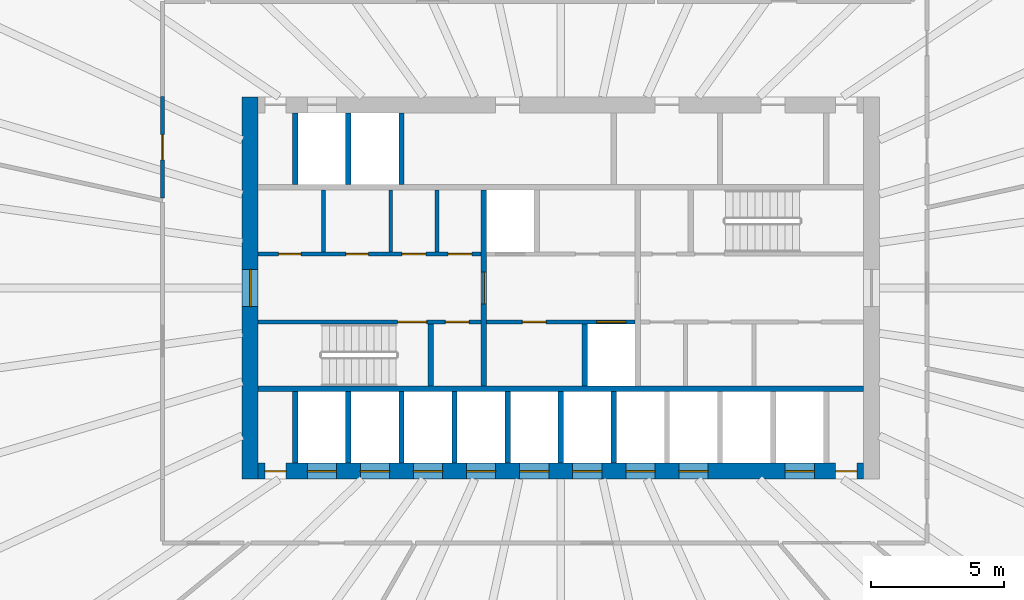
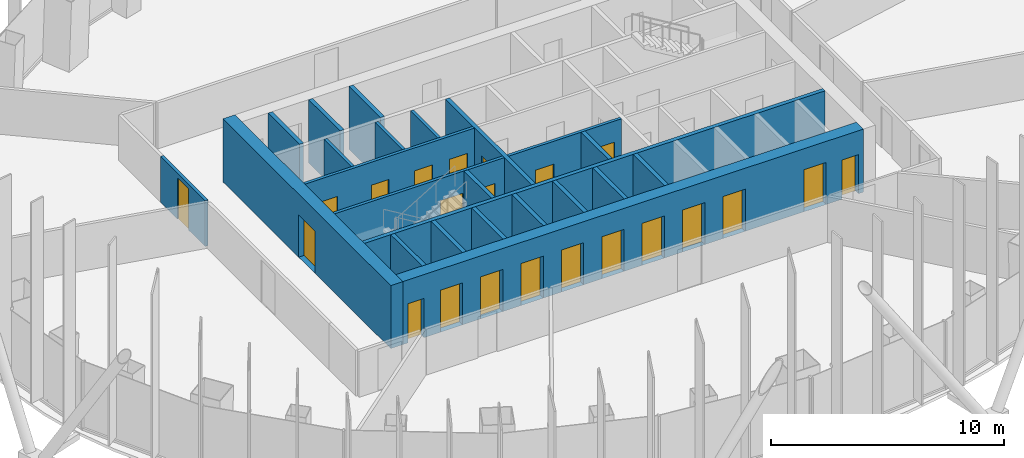
# One storey, part 7 of 19: 23 walls, 22 doors, 22 openings.
"""IFC4 building model written with IfcOpenShell, lengths in metres."""

from ifc_helpers import new_model, si_unit, direction, frame, frame_2d, origin, place, context, subcontext, project, spatial, rectangle, extrude, material, layer, layer_set, type_object, element, fill, save


model = new_model("IFC4")

# Units and contexts
model_context = context("Model", 3, precision=1e-05, world=origin(), true_north=direction((0.0, 1.0)))
body_context = subcontext(model_context, "Body", "Model", "MODEL_VIEW")
ifc_project = project(units=[si_unit("LENGTHUNIT", "METRE"), si_unit("AREAUNIT", "SQUARE_METRE"), si_unit("VOLUMEUNIT", "CUBIC_METRE"), si_unit("PLANEANGLEUNIT", "RADIAN"), si_unit("MASSUNIT", "GRAM", prefix="KILO")], contexts=[model_context])

# Site, building, storey
site_placement = place(None, origin())
site = spatial("IfcSite", under=ifc_project, at=site_placement, CompositionType="ELEMENT")
building_placement = place(site_placement, origin())
building = spatial("IfcBuilding", under=site, at=building_placement, Name="Siaravel Broadcast Tower", CompositionType="ELEMENT")
storey_placement = place(building_placement, frame((0.0, 0.0, 59.300048828125)))
storey = spatial("IfcBuildingStorey", under=building, at=storey_placement, Name="L13", CompositionType="ELEMENT", Elevation=59.300048828125)

# Walls
ifc_material_1 = material(Name="Concrete blockwork", Category="masonry")
ifc_layer_1 = layer(ifc_material_1, 0.14990234375)
ifc_layer_set_1 = layer_set([ifc_layer_1], Name="Concrete blockwork")
wall_type_1 = type_object("IfcWallType", Name="Core partition 150", PredefinedType="PARTITIONING", material=ifc_layer_set_1)
for number, where, z_axis, x_axis, name in (
    (1, (-8.93994140625, 1.35009765625, 0.0), (0.0, 0.0, 1.0), (0.0, 1.0, 0.0), "L13 core partition PNW0"),
    (2, (-6.405029296875, 1.35009765625, 0.0), (0.0, 0.0, 1.0), (0.0, 1.0, 0.0), "L13 core partition PNW1"),
    (3, (-4.6650390625, 1.35009765625, 0.0), (0.0, 0.0, 1.0), (0.0, 1.0, 0.0), "L13 core partition PNW2"),
):
    element("IfcWall", number, at=place(storey_placement, frame(where, z_axis=z_axis, x_axis=x_axis)), inside=storey, type_object=wall_type_1, Name=name, PredefinedType="PARTITIONING", context=body_context, shape_type="SweptSolid", body=[
        extrude(rectangle(XDim=2.349853515625, YDim=0.14990234375, at=frame_2d((1.1748046875, 0.0))), origin(), (0.0, 0.0, 1.0), 3.300048828125),
    ])

# Wall, opening, door
ifc_material_2 = material(Name="Concrete C60/75", Category="concrete")
ifc_layer_2 = layer(ifc_material_2, 0.60009765625)
ifc_layer_set_2 = layer_set([ifc_layer_2], Name="Concrete C60/75")
wall_type_2 = type_object("IfcWallType", Name="Core wall 600", PredefinedType="SHEAR", material=ifc_layer_set_2)
wall_1_placement = place(storey_placement, frame((-11.699951171875, -7.199951171875, 0.0), z_axis=(0.0, 0.0, 1.0), x_axis=(0.0, 1.0, 0.0)))
wall_1 = element("IfcWall", 4, at=wall_1_placement, inside=storey, type_object=wall_type_2, Name="L13 core wall OW", PredefinedType="SHEAR", context=body_context, shape_type="SweptSolid", body=[
    extrude(rectangle(XDim=14.39990234375, YDim=0.60009765625, at=frame_2d((7.199951171875, 0.0))), origin(), (0.0, 0.0, 1.0), 3.300048828125),
])
opening_1_placement = place(wall_1_placement, frame((6.5, 0.0, 0.0)))
opening_1 = element("IfcOpeningElement", 5, at=opening_1_placement, cuts=wall_1, Name="Opening L13-DX-W", PredefinedType="OPENING", context=body_context, shape_type="SweptSolid", body=[
    extrude(rectangle(XDim=1.39990234375, YDim=2.199951171875, at=frame_2d((0.699951171875, 1.10009765625))), frame((0.0, 0.31005859375, 0.0), z_axis=(0.0, -1.0, 0.0), x_axis=(1.0, 0.0, 0.0)), (0.0, 0.0, 1.0), 0.6201171875),
])
ifc_material_3 = material(Name="Steel", Category="steel")
door_type_1 = type_object("IfcDoorType", Name="Core exit door 1400", OperationType="DOUBLE_DOOR_SINGLE_SWING", PredefinedType="DOOR", material=ifc_material_3)
door_1_placement = place(opening_1_placement, origin())
door_1 = element("IfcDoor", 6, at=door_1_placement, inside=storey, type_object=door_type_1, Name="L13 door DX-W", OperationType="DOUBLE_DOOR_SINGLE_SWING", OverallHeight=2.199951171875, OverallWidth=1.39990234375, PredefinedType="DOOR", context=body_context, shape_type="SweptSolid", body=[
    extrude(rectangle(XDim=1.39990234375, YDim=2.199951171875, at=frame_2d((0.699951171875, 1.10009765625))), frame((0.0, 0.02490234375, 0.0), z_axis=(0.0, -1.0, 0.0), x_axis=(1.0, 0.0, 0.0)), (0.0, 0.0, 1.0), 0.050048828125),
])
fill(opening_1, door_1)

# Wall, openings, doors
wall_2_placement = place(storey_placement, frame((-11.39990234375, -6.89990234375, 0.0), z_axis=(0.0, 0.0, 1.0), x_axis=(1.0, 0.0, 0.0)))
wall_2 = element("IfcWall", 7, at=wall_2_placement, inside=storey, type_object=wall_type_2, Name="L13 core wall OS", PredefinedType="SHEAR", context=body_context, shape_type="SweptSolid", body=[
    extrude(rectangle(XDim=22.7998046875, YDim=0.60009765625, at=frame_2d((11.39990234375, 0.0))), origin(), (0.0, 0.0, 1.0), 3.300048828125),
])
opening_2_placement = place(wall_2_placement, frame((1.85009765625, 0.0, 0.0)))
opening_2 = element("IfcOpeningElement", 8, at=opening_2_placement, cuts=wall_2, Name="Opening LD-LP1-L13", PredefinedType="OPENING", context=body_context, shape_type="SweptSolid", body=[
    extrude(rectangle(XDim=1.10009765625, YDim=2.199951171875, at=frame_2d((0.550048828125, 1.10009765625))), frame((0.0, 0.31005859375, 0.0), z_axis=(0.0, -1.0, 0.0), x_axis=(1.0, 0.0, 0.0)), (0.0, 0.0, 1.0), 0.6201171875),
])
opening_3_placement = place(wall_2_placement, frame((3.85009765625, 0.0, 0.0)))
opening_3 = element("IfcOpeningElement", 9, at=opening_3_placement, cuts=wall_2, Name="Opening LD-LP2-L13", PredefinedType="OPENING", context=body_context, shape_type="SweptSolid", body=[
    extrude(rectangle(XDim=1.10009765625, YDim=2.199951171875, at=frame_2d((0.550048828125, 1.10009765625))), frame((0.0, 0.31005859375, 0.0), z_axis=(0.0, -1.0, 0.0), x_axis=(1.0, 0.0, 0.0)), (0.0, 0.0, 1.0), 0.6201171875),
])
opening_4_placement = place(wall_2_placement, frame((5.85009765625, 0.0, 0.0)))
opening_4 = element("IfcOpeningElement", 10, at=opening_4_placement, cuts=wall_2, Name="Opening LD-LP3-L13", PredefinedType="OPENING", context=body_context, shape_type="SweptSolid", body=[
    extrude(rectangle(XDim=1.10009765625, YDim=2.199951171875, at=frame_2d((0.550048828125, 1.10009765625))), frame((0.0, 0.31005859375, 0.0), z_axis=(0.0, -1.0, 0.0), x_axis=(1.0, 0.0, 0.0)), (0.0, 0.0, 1.0), 0.6201171875),
])
opening_5_placement = place(wall_2_placement, frame((7.85009765625, 0.0, 0.0)))
opening_5 = element("IfcOpeningElement", 11, at=opening_5_placement, cuts=wall_2, Name="Opening LD-LP4-L13", PredefinedType="OPENING", context=body_context, shape_type="SweptSolid", body=[
    extrude(rectangle(XDim=1.10009765625, YDim=2.199951171875, at=frame_2d((0.550048828125, 1.10009765625))), frame((0.0, 0.31005859375, 0.0), z_axis=(0.0, -1.0, 0.0), x_axis=(1.0, 0.0, 0.0)), (0.0, 0.0, 1.0), 0.6201171875),
])
opening_6_placement = place(wall_2_placement, frame((9.85009765625, 0.0, 0.0)))
opening_6 = element("IfcOpeningElement", 12, at=opening_6_placement, cuts=wall_2, Name="Opening LD-LP5-L13", PredefinedType="OPENING", context=body_context, shape_type="SweptSolid", body=[
    extrude(rectangle(XDim=1.10009765625, YDim=2.199951171875, at=frame_2d((0.550048828125, 1.10009765625))), frame((0.0, 0.31005859375, 0.0), z_axis=(0.0, -1.0, 0.0), x_axis=(1.0, 0.0, 0.0)), (0.0, 0.0, 1.0), 0.6201171875),
])
opening_7_placement = place(wall_2_placement, frame((11.85009765625, 0.0, 0.0)))
opening_7 = element("IfcOpeningElement", 13, at=opening_7_placement, cuts=wall_2, Name="Opening LD-LP6-L13", PredefinedType="OPENING", context=body_context, shape_type="SweptSolid", body=[
    extrude(rectangle(XDim=1.10009765625, YDim=2.199951171875, at=frame_2d((0.550048828125, 1.10009765625))), frame((0.0, 0.31005859375, 0.0), z_axis=(0.0, -1.0, 0.0), x_axis=(1.0, 0.0, 0.0)), (0.0, 0.0, 1.0), 0.6201171875),
])
opening_8_placement = place(wall_2_placement, frame((13.85009765625, 0.0, 0.0)))
opening_8 = element("IfcOpeningElement", 14, at=opening_8_placement, cuts=wall_2, Name="Opening LD-LP7-L13", PredefinedType="OPENING", context=body_context, shape_type="SweptSolid", body=[
    extrude(rectangle(XDim=1.10009765625, YDim=2.199951171875, at=frame_2d((0.550048828125, 1.10009765625))), frame((0.0, 0.31005859375, 0.0), z_axis=(0.0, -1.0, 0.0), x_axis=(1.0, 0.0, 0.0)), (0.0, 0.0, 1.0), 0.6201171875),
])
opening_9_placement = place(wall_2_placement, frame((15.85009765625, 0.0, 0.0)))
opening_9 = element("IfcOpeningElement", 15, at=opening_9_placement, cuts=wall_2, Name="Opening LD-LP8-L13", PredefinedType="OPENING", context=body_context, shape_type="SweptSolid", body=[
    extrude(rectangle(XDim=1.10009765625, YDim=2.199951171875, at=frame_2d((0.550048828125, 1.10009765625))), frame((0.0, 0.31005859375, 0.0), z_axis=(0.0, -1.0, 0.0), x_axis=(1.0, 0.0, 0.0)), (0.0, 0.0, 1.0), 0.6201171875),
])
opening_10_placement = place(wall_2_placement, frame((19.85009765625, 0.0, 0.0)))
opening_10 = element("IfcOpeningElement", 16, at=opening_10_placement, cuts=wall_2, Name="Opening LD-SV1-L13", PredefinedType="OPENING", context=body_context, shape_type="SweptSolid", body=[
    extrude(rectangle(XDim=1.10009765625, YDim=2.199951171875, at=frame_2d((0.550048828125, 1.10009765625))), frame((0.0, 0.31005859375, 0.0), z_axis=(0.0, -1.0, 0.0), x_axis=(1.0, 0.0, 0.0)), (0.0, 0.0, 1.0), 0.6201171875),
])
opening_11_placement = place(wall_2_placement, frame((0.25, 0.0, 0.0)))
opening_11 = element("IfcOpeningElement", 17, at=opening_11_placement, cuts=wall_2, Name="Opening L13-DRSW", PredefinedType="OPENING", context=body_context, shape_type="SweptSolid", body=[
    extrude(rectangle(XDim=0.800048828125, YDim=2.050048828125, at=frame_2d((0.39990234375, 1.02490234375))), frame((0.0, 0.31005859375, 0.0), z_axis=(0.0, -1.0, 0.0), x_axis=(1.0, 0.0, 0.0)), (0.0, 0.0, 1.0), 0.6201171875),
])
opening_12_placement = place(wall_2_placement, frame((21.75, 0.0, 0.0)))
opening_12 = element("IfcOpeningElement", 18, at=opening_12_placement, cuts=wall_2, Name="Opening L13-DRSE", PredefinedType="OPENING", context=body_context, shape_type="SweptSolid", body=[
    extrude(rectangle(XDim=0.800048828125, YDim=2.050048828125, at=frame_2d((0.39990234375, 1.02490234375))), frame((0.0, 0.31005859375, 0.0), z_axis=(0.0, -1.0, 0.0), x_axis=(1.0, 0.0, 0.0)), (0.0, 0.0, 1.0), 0.6201171875),
])
ifc_material_4 = material(Name="Stainless steel 316L", Category="steel")
door_type_2 = type_object("IfcDoorType", Name="Lift landing door 1100", OperationType="DOUBLE_DOOR_SLIDING", PredefinedType="DOOR", material=ifc_material_4)
door_2_placement = place(opening_2_placement, origin())
door_2 = element("IfcDoor", 19, at=door_2_placement, inside=storey, type_object=door_type_2, Name="Landing door LP1 L13", OperationType="DOUBLE_DOOR_SLIDING", OverallHeight=2.199951171875, OverallWidth=1.10009765625, PredefinedType="DOOR", context=body_context, shape_type="SweptSolid", body=[
    extrude(rectangle(XDim=1.10009765625, YDim=2.199951171875, at=frame_2d((0.550048828125, 1.10009765625))), frame((0.0, 0.02490234375, 0.0), z_axis=(0.0, -1.0, 0.0), x_axis=(1.0, 0.0, 0.0)), (0.0, 0.0, 1.0), 0.050048828125),
])
fill(opening_2, door_2)
door_3_placement = place(opening_3_placement, origin())
door_3 = element("IfcDoor", 20, at=door_3_placement, inside=storey, type_object=door_type_2, Name="Landing door LP2 L13", OperationType="DOUBLE_DOOR_SLIDING", OverallHeight=2.199951171875, OverallWidth=1.10009765625, PredefinedType="DOOR", context=body_context, shape_type="SweptSolid", body=[
    extrude(rectangle(XDim=1.10009765625, YDim=2.199951171875, at=frame_2d((0.550048828125, 1.10009765625))), frame((0.0, 0.02490234375, 0.0), z_axis=(0.0, -1.0, 0.0), x_axis=(1.0, 0.0, 0.0)), (0.0, 0.0, 1.0), 0.050048828125),
])
fill(opening_3, door_3)
door_4_placement = place(opening_4_placement, origin())
door_4 = element("IfcDoor", 21, at=door_4_placement, inside=storey, type_object=door_type_2, Name="Landing door LP3 L13", OperationType="DOUBLE_DOOR_SLIDING", OverallHeight=2.199951171875, OverallWidth=1.10009765625, PredefinedType="DOOR", context=body_context, shape_type="SweptSolid", body=[
    extrude(rectangle(XDim=1.10009765625, YDim=2.199951171875, at=frame_2d((0.550048828125, 1.10009765625))), frame((0.0, 0.02490234375, 0.0), z_axis=(0.0, -1.0, 0.0), x_axis=(1.0, 0.0, 0.0)), (0.0, 0.0, 1.0), 0.050048828125),
])
fill(opening_4, door_4)
door_5_placement = place(opening_5_placement, origin())
door_5 = element("IfcDoor", 22, at=door_5_placement, inside=storey, type_object=door_type_2, Name="Landing door LP4 L13", OperationType="DOUBLE_DOOR_SLIDING", OverallHeight=2.199951171875, OverallWidth=1.10009765625, PredefinedType="DOOR", context=body_context, shape_type="SweptSolid", body=[
    extrude(rectangle(XDim=1.10009765625, YDim=2.199951171875, at=frame_2d((0.550048828125, 1.10009765625))), frame((0.0, 0.02490234375, 0.0), z_axis=(0.0, -1.0, 0.0), x_axis=(1.0, 0.0, 0.0)), (0.0, 0.0, 1.0), 0.050048828125),
])
fill(opening_5, door_5)
door_6_placement = place(opening_6_placement, origin())
door_6 = element("IfcDoor", 23, at=door_6_placement, inside=storey, type_object=door_type_2, Name="Landing door LP5 L13", OperationType="DOUBLE_DOOR_SLIDING", OverallHeight=2.199951171875, OverallWidth=1.10009765625, PredefinedType="DOOR", context=body_context, shape_type="SweptSolid", body=[
    extrude(rectangle(XDim=1.10009765625, YDim=2.199951171875, at=frame_2d((0.550048828125, 1.10009765625))), frame((0.0, 0.02490234375, 0.0), z_axis=(0.0, -1.0, 0.0), x_axis=(1.0, 0.0, 0.0)), (0.0, 0.0, 1.0), 0.050048828125),
])
fill(opening_6, door_6)
door_7_placement = place(opening_7_placement, origin())
door_7 = element("IfcDoor", 24, at=door_7_placement, inside=storey, type_object=door_type_2, Name="Landing door LP6 L13", OperationType="DOUBLE_DOOR_SLIDING", OverallHeight=2.199951171875, OverallWidth=1.10009765625, PredefinedType="DOOR", context=body_context, shape_type="SweptSolid", body=[
    extrude(rectangle(XDim=1.10009765625, YDim=2.199951171875, at=frame_2d((0.550048828125, 1.10009765625))), frame((0.0, 0.02490234375, 0.0), z_axis=(0.0, -1.0, 0.0), x_axis=(1.0, 0.0, 0.0)), (0.0, 0.0, 1.0), 0.050048828125),
])
fill(opening_7, door_7)
door_8_placement = place(opening_8_placement, origin())
door_8 = element("IfcDoor", 25, at=door_8_placement, inside=storey, type_object=door_type_2, Name="Landing door LP7 L13", OperationType="DOUBLE_DOOR_SLIDING", OverallHeight=2.199951171875, OverallWidth=1.10009765625, PredefinedType="DOOR", context=body_context, shape_type="SweptSolid", body=[
    extrude(rectangle(XDim=1.10009765625, YDim=2.199951171875, at=frame_2d((0.550048828125, 1.10009765625))), frame((0.0, 0.02490234375, 0.0), z_axis=(0.0, -1.0, 0.0), x_axis=(1.0, 0.0, 0.0)), (0.0, 0.0, 1.0), 0.050048828125),
])
fill(opening_8, door_8)
door_9_placement = place(opening_9_placement, origin())
door_9 = element("IfcDoor", 26, at=door_9_placement, inside=storey, type_object=door_type_2, Name="Landing door LP8 L13", OperationType="DOUBLE_DOOR_SLIDING", OverallHeight=2.199951171875, OverallWidth=1.10009765625, PredefinedType="DOOR", context=body_context, shape_type="SweptSolid", body=[
    extrude(rectangle(XDim=1.10009765625, YDim=2.199951171875, at=frame_2d((0.550048828125, 1.10009765625))), frame((0.0, 0.02490234375, 0.0), z_axis=(0.0, -1.0, 0.0), x_axis=(1.0, 0.0, 0.0)), (0.0, 0.0, 1.0), 0.050048828125),
])
fill(opening_9, door_9)
door_type_3 = type_object("IfcDoorType", Name="Riser door 800", OperationType="SINGLE_SWING_LEFT", PredefinedType="DOOR", material=ifc_material_3)
door_10_placement = place(opening_11_placement, origin())
door_10 = element("IfcDoor", 27, at=door_10_placement, inside=storey, type_object=door_type_3, Name="L13 door DRSW", OperationType="SINGLE_SWING_LEFT", OverallHeight=2.050048828125, OverallWidth=0.800048828125, PredefinedType="DOOR", context=body_context, shape_type="SweptSolid", body=[
    extrude(rectangle(XDim=0.800048828125, YDim=2.050048828125, at=frame_2d((0.39990234375, 1.02490234375))), frame((0.0, 0.02490234375, 0.0), z_axis=(0.0, -1.0, 0.0), x_axis=(1.0, 0.0, 0.0)), (0.0, 0.0, 1.0), 0.050048828125),
])
fill(opening_11, door_10)
door_11_placement = place(opening_12_placement, origin())
door_11 = element("IfcDoor", 28, at=door_11_placement, inside=storey, type_object=door_type_3, Name="L13 door DRSE", OperationType="SINGLE_SWING_LEFT", OverallHeight=2.050048828125, OverallWidth=0.800048828125, PredefinedType="DOOR", context=body_context, shape_type="SweptSolid", body=[
    extrude(rectangle(XDim=0.800048828125, YDim=2.050048828125, at=frame_2d((0.39990234375, 1.02490234375))), frame((0.0, 0.02490234375, 0.0), z_axis=(0.0, -1.0, 0.0), x_axis=(1.0, 0.0, 0.0)), (0.0, 0.0, 1.0), 0.050048828125),
])
fill(opening_12, door_11)
door_type_4 = type_object("IfcDoorType", Name="Service lift landing door 1100", OperationType="DOUBLE_DOOR_SLIDING", PredefinedType="DOOR", material=ifc_material_4)
door_12_placement = place(opening_10_placement, origin())
door_12 = element("IfcDoor", 29, at=door_12_placement, inside=storey, type_object=door_type_4, Name="Landing door SV1 L13", OperationType="DOUBLE_DOOR_SLIDING", OverallHeight=2.199951171875, OverallWidth=1.10009765625, PredefinedType="DOOR", context=body_context, shape_type="SweptSolid", body=[
    extrude(rectangle(XDim=1.10009765625, YDim=2.199951171875, at=frame_2d((0.550048828125, 1.10009765625))), frame((0.0, 0.02490234375, 0.0), z_axis=(0.0, -1.0, 0.0), x_axis=(1.0, 0.0, 0.0)), (0.0, 0.0, 1.0), 0.050048828125),
])
fill(opening_10, door_12)

ifc_material_5 = material(Name="Gypsum board partition", Category="gypsum")
ifc_layer_3 = layer(ifc_material_5, 0.14990234375)
ifc_layer_set_3 = layer_set([ifc_layer_3], Name="Gypsum board partition")
wall_type_3 = type_object("IfcWallType", Name="Corridor wall 150", PredefinedType="PARTITIONING", material=ifc_layer_set_3)
wall_3_placement = place(storey_placement, frame((-11.39990234375, 1.27490234375, 0.0), z_axis=(0.0, 0.0, 1.0), x_axis=(1.0, 0.0, 0.0)))
wall_3 = element("IfcWall", 30, at=wall_3_placement, inside=storey, type_object=wall_type_3, Name="L13 core partition CNW", PredefinedType="PARTITIONING", context=body_context, shape_type="SweptSolid", body=[
    extrude(rectangle(XDim=8.39990234375, YDim=0.14990234375, at=frame_2d((4.199951171875, 0.0))), origin(), (0.0, 0.0, 1.0), 3.300048828125),
])
opening_13_placement = place(wall_3_placement, frame((0.767578125, 0.0, 0.0)))
opening_13 = element("IfcOpeningElement", 31, at=opening_13_placement, cuts=wall_3, Name="Opening L13-DNW0", PredefinedType="OPENING", context=body_context, shape_type="SweptSolid", body=[
    extrude(rectangle(XDim=0.85009765625, YDim=2.10009765625, at=frame_2d((0.425048828125, 1.050048828125))), frame((0.0, 0.0849609375, 0.0), z_axis=(0.0, -1.0, 0.0), x_axis=(1.0, 0.0, 0.0)), (0.0, 0.0, 1.0), 0.169921875),
])
opening_14_placement = place(wall_3_placement, frame((3.302490234375, 0.0, 0.0)))
opening_14 = element("IfcOpeningElement", 32, at=opening_14_placement, cuts=wall_3, Name="Opening L13-DNW1", PredefinedType="OPENING", context=body_context, shape_type="SweptSolid", body=[
    extrude(rectangle(XDim=0.85009765625, YDim=2.10009765625, at=frame_2d((0.425048828125, 1.050048828125))), frame((0.0, 0.0849609375, 0.0), z_axis=(0.0, -1.0, 0.0), x_axis=(1.0, 0.0, 0.0)), (0.0, 0.0, 1.0), 0.169921875),
])
opening_15_placement = place(wall_3_placement, frame((5.4150390625, 0.0, 0.0)))
opening_15 = element("IfcOpeningElement", 33, at=opening_15_placement, cuts=wall_3, Name="Opening L13-DNW2", PredefinedType="OPENING", context=body_context, shape_type="SweptSolid", body=[
    extrude(rectangle(XDim=0.89990234375, YDim=2.10009765625, at=frame_2d((0.449951171875, 1.050048828125))), frame((0.0, 0.0849609375, 0.0), z_axis=(0.0, -1.0, 0.0), x_axis=(1.0, 0.0, 0.0)), (0.0, 0.0, 1.0), 0.169921875),
])
opening_16_placement = place(wall_3_placement, frame((7.155029296875, 0.0, 0.0)))
opening_16 = element("IfcOpeningElement", 34, at=opening_16_placement, cuts=wall_3, Name="Opening L13-DNW3", PredefinedType="OPENING", context=body_context, shape_type="SweptSolid", body=[
    extrude(rectangle(XDim=0.89990234375, YDim=2.10009765625, at=frame_2d((0.449951171875, 1.050048828125))), frame((0.0, 0.0849609375, 0.0), z_axis=(0.0, -1.0, 0.0), x_axis=(1.0, 0.0, 0.0)), (0.0, 0.0, 1.0), 0.169921875),
])
ifc_material_6 = material(Name="Timber veneer", Category="wood")
door_type_5 = type_object("IfcDoorType", Name="Core room door 900", OperationType="SINGLE_SWING_LEFT", PredefinedType="DOOR", material=ifc_material_6)
door_13_placement = place(opening_15_placement, origin())
door_13 = element("IfcDoor", 35, at=door_13_placement, inside=storey, type_object=door_type_5, Name="L13 door DNW2", OperationType="SINGLE_SWING_LEFT", OverallHeight=2.10009765625, OverallWidth=0.89990234375, PredefinedType="DOOR", context=body_context, shape_type="SweptSolid", body=[
    extrude(rectangle(XDim=0.89990234375, YDim=2.10009765625, at=frame_2d((0.449951171875, 1.050048828125))), frame((0.0, 0.02490234375, 0.0), z_axis=(0.0, -1.0, 0.0), x_axis=(1.0, 0.0, 0.0)), (0.0, 0.0, 1.0), 0.050048828125),
])
fill(opening_15, door_13)
door_14_placement = place(opening_16_placement, origin())
door_14 = element("IfcDoor", 36, at=door_14_placement, inside=storey, type_object=door_type_5, Name="L13 door DNW3", OperationType="SINGLE_SWING_LEFT", OverallHeight=2.10009765625, OverallWidth=0.89990234375, PredefinedType="DOOR", context=body_context, shape_type="SweptSolid", body=[
    extrude(rectangle(XDim=0.89990234375, YDim=2.10009765625, at=frame_2d((0.449951171875, 1.050048828125))), frame((0.0, 0.02490234375, 0.0), z_axis=(0.0, -1.0, 0.0), x_axis=(1.0, 0.0, 0.0)), (0.0, 0.0, 1.0), 0.050048828125),
])
fill(opening_16, door_14)
door_type_6 = type_object("IfcDoorType", Name="Core toilet door 850", OperationType="SINGLE_SWING_LEFT", PredefinedType="DOOR", material=ifc_material_6)
door_15_placement = place(opening_13_placement, origin())
door_15 = element("IfcDoor", 37, at=door_15_placement, inside=storey, type_object=door_type_6, Name="L13 door DNW0", OperationType="SINGLE_SWING_LEFT", OverallHeight=2.10009765625, OverallWidth=0.85009765625, PredefinedType="DOOR", context=body_context, shape_type="SweptSolid", body=[
    extrude(rectangle(XDim=0.85009765625, YDim=2.10009765625, at=frame_2d((0.425048828125, 1.050048828125))), frame((0.0, 0.02490234375, 0.0), z_axis=(0.0, -1.0, 0.0), x_axis=(1.0, 0.0, 0.0)), (0.0, 0.0, 1.0), 0.050048828125),
])
fill(opening_13, door_15)
door_16_placement = place(opening_14_placement, origin())
door_16 = element("IfcDoor", 38, at=door_16_placement, inside=storey, type_object=door_type_6, Name="L13 door DNW1", OperationType="SINGLE_SWING_LEFT", OverallHeight=2.10009765625, OverallWidth=0.85009765625, PredefinedType="DOOR", context=body_context, shape_type="SweptSolid", body=[
    extrude(rectangle(XDim=0.85009765625, YDim=2.10009765625, at=frame_2d((0.425048828125, 1.050048828125))), frame((0.0, 0.02490234375, 0.0), z_axis=(0.0, -1.0, 0.0), x_axis=(1.0, 0.0, 0.0)), (0.0, 0.0, 1.0), 0.050048828125),
])
fill(opening_14, door_16)

# Wall, opening, door
wall_4_placement = place(storey_placement, frame((-15.0, 7.2119140625, 0.0), z_axis=(0.0, 0.0, 1.0), x_axis=(0.0, -1.0, 0.0)))
wall_4 = element("IfcWall", 39, at=wall_4_placement, inside=storey, type_object=wall_type_3, Name="L13 partition 20", PredefinedType="PARTITIONING", context=body_context, shape_type="SweptSolid", body=[
    extrude(rectangle(XDim=3.824462890625, YDim=0.14990234375, at=frame_2d((1.912109375, 0.0))), origin(), (0.0, 0.0, 1.0), 2.39990234375),
])
opening_17_placement = place(wall_4_placement, frame((1.437255859375, 0.0, 0.0)))
opening_17 = element("IfcOpeningElement", 40, at=opening_17_placement, cuts=wall_4, Name="Opening L13-008", PredefinedType="OPENING", context=body_context, shape_type="SweptSolid", body=[
    extrude(rectangle(XDim=0.949951171875, YDim=2.14990234375, at=frame_2d((0.47509765625, 1.074951171875))), frame((0.0, 0.0849609375, 0.0), z_axis=(0.0, -1.0, 0.0), x_axis=(1.0, 0.0, 0.0)), (0.0, 0.0, 1.0), 0.169921875),
])
door_type_7 = type_object("IfcDoorType", Name="Office door 950", OperationType="SINGLE_SWING_LEFT", PredefinedType="DOOR", material=ifc_material_6)
door_17_placement = place(opening_17_placement, origin())
door_17 = element("IfcDoor", 41, at=door_17_placement, inside=storey, type_object=door_type_7, Name="L13 door to Graphics studio", OperationType="SINGLE_SWING_RIGHT", OverallHeight=2.14990234375, OverallWidth=0.949951171875, PredefinedType="DOOR", context=body_context, shape_type="SweptSolid", body=[
    extrude(rectangle(XDim=0.949951171875, YDim=2.14990234375, at=frame_2d((0.47509765625, 1.074951171875))), frame((0.0, 0.02490234375, 0.0), z_axis=(0.0, -1.0, 0.0), x_axis=(1.0, 0.0, 0.0)), (0.0, 0.0, 1.0), 0.050048828125),
])
fill(opening_17, door_17)

# Wall, openings, doors
ifc_layer_4 = layer(ifc_material_2, 0.14990234375)
ifc_layer_set_4 = layer_set([ifc_layer_4], Name="Concrete C60/75")
wall_type_4 = type_object("IfcWallType", Name="Shaft wall 150", PredefinedType="SHEAR", material=ifc_layer_set_4)
wall_5_placement = place(storey_placement, frame((-11.39990234375, -1.27490234375, 0.0), z_axis=(0.0, 0.0, 1.0), x_axis=(1.0, 0.0, 0.0)))
wall_5 = element("IfcWall", 42, at=wall_5_placement, inside=storey, type_object=wall_type_4, Name="L13 core wall CSW", PredefinedType="SHEAR", context=body_context, shape_type="SweptSolid", body=[
    extrude(rectangle(XDim=8.39990234375, YDim=0.14990234375, at=frame_2d((4.199951171875, 0.0))), origin(), (0.0, 0.0, 1.0), 3.300048828125),
])
opening_18_placement = place(wall_5_placement, frame((5.25, 0.0, 0.0)))
opening_18 = element("IfcOpeningElement", 43, at=opening_18_placement, cuts=wall_5, Name="Opening L13-DS-1", PredefinedType="OPENING", context=body_context, shape_type="SweptSolid", body=[
    extrude(rectangle(XDim=1.10009765625, YDim=2.14990234375, at=frame_2d((0.550048828125, 1.074951171875))), frame((0.0, 0.0849609375, 0.0), z_axis=(0.0, -1.0, 0.0), x_axis=(1.0, 0.0, 0.0)), (0.0, 0.0, 1.0), 0.169921875),
])
opening_19_placement = place(wall_5_placement, frame((7.050048828125, 0.0, 0.0)))
opening_19 = element("IfcOpeningElement", 44, at=opening_19_placement, cuts=wall_5, Name="Opening L13-DSW0", PredefinedType="OPENING", context=body_context, shape_type="SweptSolid", body=[
    extrude(rectangle(XDim=0.89990234375, YDim=2.10009765625, at=frame_2d((0.449951171875, 1.050048828125))), frame((0.0, 0.0849609375, 0.0), z_axis=(0.0, -1.0, 0.0), x_axis=(1.0, 0.0, 0.0)), (0.0, 0.0, 1.0), 0.169921875),
])
door_18_placement = place(opening_19_placement, origin())
door_18 = element("IfcDoor", 45, at=door_18_placement, inside=storey, type_object=door_type_5, Name="L13 door DSW0", OperationType="SINGLE_SWING_LEFT", OverallHeight=2.10009765625, OverallWidth=0.89990234375, PredefinedType="DOOR", context=body_context, shape_type="SweptSolid", body=[
    extrude(rectangle(XDim=0.89990234375, YDim=2.10009765625, at=frame_2d((0.449951171875, 1.050048828125))), frame((0.0, 0.02490234375, 0.0), z_axis=(0.0, -1.0, 0.0), x_axis=(1.0, 0.0, 0.0)), (0.0, 0.0, 1.0), 0.050048828125),
])
fill(opening_19, door_18)
door_type_8 = type_object("IfcDoorType", Name="Stair door 1100", OperationType="SINGLE_SWING_LEFT", PredefinedType="DOOR", material=ifc_material_3)
door_19_placement = place(opening_18_placement, origin())
door_19 = element("IfcDoor", 46, at=door_19_placement, inside=storey, type_object=door_type_8, Name="L13 door DS-1", OperationType="SINGLE_SWING_LEFT", OverallHeight=2.14990234375, OverallWidth=1.10009765625, PredefinedType="DOOR", context=body_context, shape_type="SweptSolid", body=[
    extrude(rectangle(XDim=1.10009765625, YDim=2.14990234375, at=frame_2d((0.550048828125, 1.074951171875))), frame((0.0, 0.02490234375, 0.0), z_axis=(0.0, -1.0, 0.0), x_axis=(1.0, 0.0, 0.0)), (0.0, 0.0, 1.0), 0.050048828125),
])
fill(opening_18, door_19)

wall_6_placement = place(storey_placement, frame((-2.800048828125, -1.27490234375, 0.0), z_axis=(0.0, 0.0, 1.0), x_axis=(1.0, 0.0, 0.0)))
wall_6 = element("IfcWall", 47, at=wall_6_placement, inside=storey, type_object=wall_type_4, Name="L13 core wall CSM", PredefinedType="SHEAR", context=body_context, shape_type="SweptSolid", body=[
    extrude(rectangle(XDim=5.60009765625, YDim=0.14990234375, at=frame_2d((2.800048828125, 0.0))), origin(), (0.0, 0.0, 1.0), 3.300048828125),
])
opening_20_placement = place(wall_6_placement, frame((4.14990234375, 0.0, 0.0)))
opening_20 = element("IfcOpeningElement", 48, at=opening_20_placement, cuts=wall_6, Name="Opening LD-FL2-L13", PredefinedType="OPENING", context=body_context, shape_type="SweptSolid", body=[
    extrude(rectangle(XDim=1.10009765625, YDim=2.199951171875, at=frame_2d((0.550048828125, 1.10009765625))), frame((0.0, 0.0849609375, 0.0), z_axis=(0.0, -1.0, 0.0), x_axis=(1.0, 0.0, 0.0)), (0.0, 0.0, 1.0), 0.169921875),
])
opening_21_placement = place(wall_6_placement, frame((1.35009765625, 0.0, 0.0)))
opening_21 = element("IfcOpeningElement", 49, at=opening_21_placement, cuts=wall_6, Name="Opening L13-DSM0", PredefinedType="OPENING", context=body_context, shape_type="SweptSolid", body=[
    extrude(rectangle(XDim=0.89990234375, YDim=2.10009765625, at=frame_2d((0.449951171875, 1.050048828125))), frame((0.0, 0.0849609375, 0.0), z_axis=(0.0, -1.0, 0.0), x_axis=(1.0, 0.0, 0.0)), (0.0, 0.0, 1.0), 0.169921875),
])
door_20_placement = place(opening_21_placement, origin())
door_20 = element("IfcDoor", 50, at=door_20_placement, inside=storey, type_object=door_type_5, Name="L13 door DSM0", OperationType="SINGLE_SWING_LEFT", OverallHeight=2.10009765625, OverallWidth=0.89990234375, PredefinedType="DOOR", context=body_context, shape_type="SweptSolid", body=[
    extrude(rectangle(XDim=0.89990234375, YDim=2.10009765625, at=frame_2d((0.449951171875, 1.050048828125))), frame((0.0, 0.02490234375, 0.0), z_axis=(0.0, -1.0, 0.0), x_axis=(1.0, 0.0, 0.0)), (0.0, 0.0, 1.0), 0.050048828125),
])
fill(opening_21, door_20)
door_type_9 = type_object("IfcDoorType", Name="Firefighting lift landing door 1100", OperationType="DOUBLE_DOOR_SLIDING", PredefinedType="DOOR", material=ifc_material_4)
door_21_placement = place(opening_20_placement, origin())
door_21 = element("IfcDoor", 51, at=door_21_placement, inside=storey, type_object=door_type_9, Name="Landing door FL2 L13", OperationType="DOUBLE_DOOR_SLIDING", OverallHeight=2.199951171875, OverallWidth=1.10009765625, PredefinedType="DOOR", context=body_context, shape_type="SweptSolid", body=[
    extrude(rectangle(XDim=1.10009765625, YDim=2.199951171875, at=frame_2d((0.550048828125, 1.10009765625))), frame((0.0, 0.02490234375, 0.0), z_axis=(0.0, -1.0, 0.0), x_axis=(1.0, 0.0, 0.0)), (0.0, 0.0, 1.0), 0.050048828125),
])
fill(opening_20, door_21)

# Walls
ifc_layer_5 = layer(ifc_material_2, 0.199951171875)
ifc_layer_set_5 = layer_set([ifc_layer_5], Name="Concrete C60/75")
wall_type_5 = type_object("IfcWallType", Name="Shaft wall 200", PredefinedType="SHEAR", material=ifc_layer_set_5)
wall_7_placement = place(storey_placement, frame((-11.39990234375, -3.800048828125, 0.0), z_axis=(0.0, 0.0, 1.0), x_axis=(1.0, 0.0, 0.0)))
element("IfcWall", 52, at=wall_7_placement, inside=storey, type_object=wall_type_5, Name="L13 core wall BS", PredefinedType="SHEAR", context=body_context, shape_type="SweptSolid", body=[
    extrude(rectangle(XDim=22.7998046875, YDim=0.199951171875, at=frame_2d((11.39990234375, 0.0))), origin(), (0.0, 0.0, 1.0), 3.300048828125),
])
for number, where, z_axis, x_axis, name in (
    (53, (-10.0, -6.60009765625, 0.0), (0.0, 0.0, 1.0), (0.0, 1.0, 0.0), "L13 core wall SWS0"),
    (54, (-8.0, -6.60009765625, 0.0), (0.0, 0.0, 1.0), (0.0, 1.0, 0.0), "L13 core wall SWS1"),
    (55, (-6.0, -6.60009765625, 0.0), (0.0, 0.0, 1.0), (0.0, 1.0, 0.0), "L13 core wall SWS2"),
    (56, (-4.0, -6.60009765625, 0.0), (0.0, 0.0, 1.0), (0.0, 1.0, 0.0), "L13 core wall SWS3"),
    (57, (-2.0, -6.60009765625, 0.0), (0.0, 0.0, 1.0), (0.0, 1.0, 0.0), "L13 core wall SWS4"),
    (58, (0.0, -6.60009765625, 0.0), (0.0, 0.0, 1.0), (0.0, 1.0, 0.0), "L13 core wall SWS5"),
    (59, (2.0, -6.60009765625, 0.0), (0.0, 0.0, 1.0), (0.0, 1.0, 0.0), "L13 core wall SWS6"),
    (60, (-10.0, 3.89990234375, 0.0), (0.0, 0.0, 1.0), (0.0, 1.0, 0.0), "L13 core wall SWN0"),
    (61, (-8.0, 3.89990234375, 0.0), (0.0, 0.0, 1.0), (0.0, 1.0, 0.0), "L13 core wall SWN1"),
    (62, (-6.0, 3.89990234375, 0.0), (0.0, 0.0, 1.0), (0.0, 1.0, 0.0), "L13 core wall SWN2"),
):
    element("IfcWall", number, at=place(storey_placement, frame(where, z_axis=z_axis, x_axis=x_axis)), inside=storey, type_object=wall_type_5, Name=name, PredefinedType="SHEAR", context=body_context, shape_type="SweptSolid", body=[
        extrude(rectangle(XDim=2.7001953125, YDim=0.199951171875, at=frame_2d((1.35009765625, 0.0))), origin(), (0.0, 0.0, 1.0), 3.300048828125),
    ])

# Wall, opening, door
wall_8_placement = place(storey_placement, frame((-2.89990234375, -3.699951171875, 0.0), z_axis=(0.0, 0.0, 1.0), x_axis=(0.0, 1.0, 0.0)))
wall_8 = element("IfcWall", 63, at=wall_8_placement, inside=storey, type_object=wall_type_5, Name="L13 core wall LW", PredefinedType="SHEAR", context=body_context, shape_type="SweptSolid", body=[
    extrude(rectangle(XDim=7.39990234375, YDim=0.199951171875, at=frame_2d((3.699951171875, 0.0))), origin(), (0.0, 0.0, 1.0), 3.300048828125),
])
opening_22_placement = place(wall_8_placement, frame((3.10009765625, 0.0, 0.0)))
opening_22 = element("IfcOpeningElement", 64, at=opening_22_placement, cuts=wall_8, Name="Opening L13-DL-W", PredefinedType="OPENING", context=body_context, shape_type="SweptSolid", body=[
    extrude(rectangle(XDim=1.199951171875, YDim=2.199951171875, at=frame_2d((0.60009765625, 1.10009765625))), frame((0.0, 0.10986328125, 0.0), z_axis=(0.0, -1.0, 0.0), x_axis=(1.0, 0.0, 0.0)), (0.0, 0.0, 1.0), 0.219970703125),
])
door_type_10 = type_object("IfcDoorType", Name="Firefighting lobby door 1200", OperationType="SINGLE_SWING_LEFT", PredefinedType="DOOR", material=ifc_material_3)
door_22_placement = place(opening_22_placement, origin())
door_22 = element("IfcDoor", 65, at=door_22_placement, inside=storey, type_object=door_type_10, Name="L13 door DL-W", OperationType="SINGLE_SWING_LEFT", OverallHeight=2.199951171875, OverallWidth=1.199951171875, PredefinedType="DOOR", context=body_context, shape_type="SweptSolid", body=[
    extrude(rectangle(XDim=1.199951171875, YDim=2.199951171875, at=frame_2d((0.60009765625, 1.10009765625))), frame((0.0, 0.02490234375, 0.0), z_axis=(0.0, -1.0, 0.0), x_axis=(1.0, 0.0, 0.0)), (0.0, 0.0, 1.0), 0.050048828125),
])
fill(opening_22, door_22)

# Walls
for number, where, z_axis, x_axis, name in (
    (66, (0.89990234375, -3.699951171875, 0.0), (0.0, 0.0, 1.0), (0.0, 1.0, 0.0), "L13 core wall FF2W"),
    (67, (-4.89990234375, -3.699951171875, 0.0), (0.0, 0.0, 1.0), (0.0, 1.0, 0.0), "L13 core wall ST1E"),
):
    element("IfcWall", number, at=place(storey_placement, frame(where, z_axis=z_axis, x_axis=x_axis)), inside=storey, type_object=wall_type_5, Name=name, PredefinedType="SHEAR", context=body_context, shape_type="SweptSolid", body=[
        extrude(rectangle(XDim=2.349853515625, YDim=0.199951171875, at=frame_2d((1.1748046875, 0.0))), origin(), (0.0, 0.0, 1.0), 3.300048828125),
    ])

save(model, "model.ifc")
